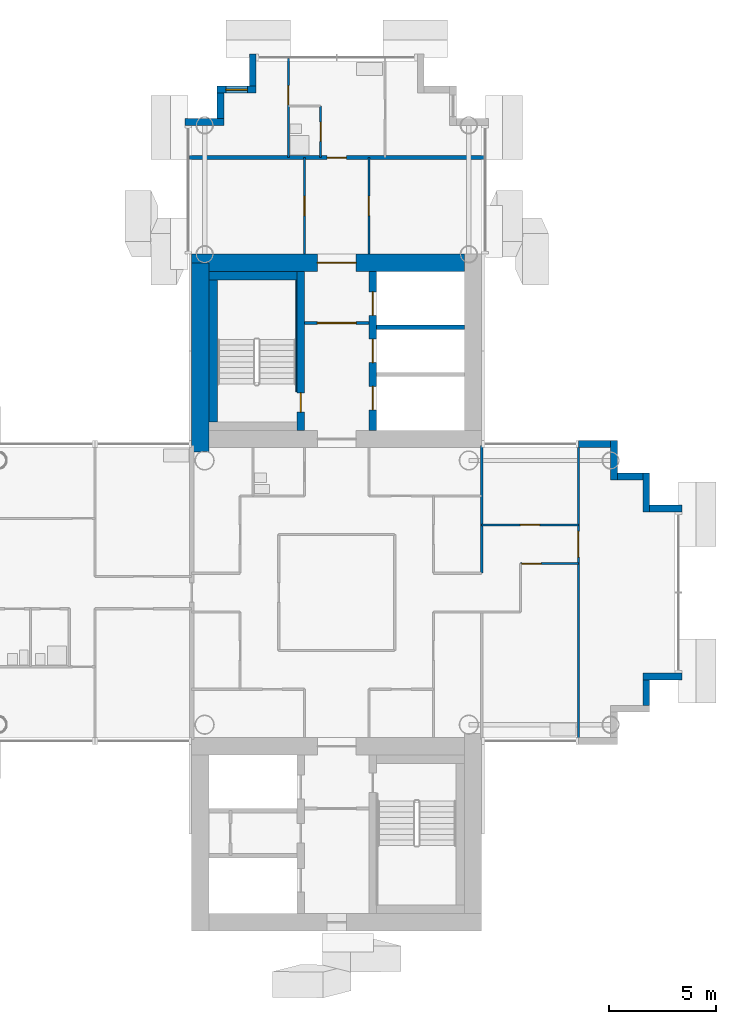
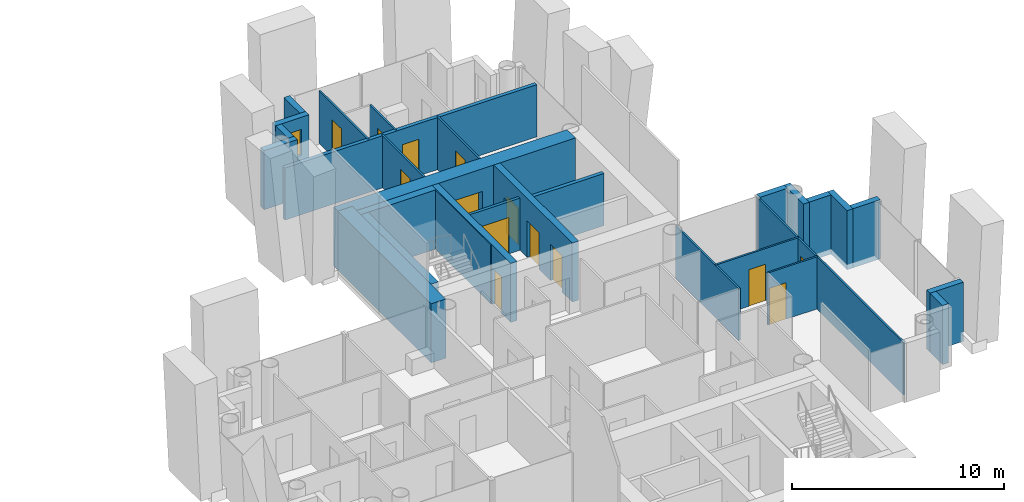
# One storey, part 11 of 19: 29 walls, 14 doors, 1 window, 15 openings.
"""IFC4 building model written with IfcOpenShell, lengths in metres."""

import ifcopenshell
import ifcopenshell.guid

model = None  # the IFC model being written
_history = None  # IfcOwnerHistory: only IFC2X3 demands one
_inside = {}  # id of a spatial element -> (the spatial element, [elements in it])
_under = {}  # id of a project, library or spatial element -> (it, [spatial elements below it])
_declared = {}  # id of a project -> (the project, [libraries it declares])
_typed = {}  # id of a type object -> (the type object, [elements of that type])
_made_of = {}  # id of a material, layer set ... -> (it, [elements and type objects made of it])


def new_model(schema):
    """Start an empty IFC model of exactly this schema.

    Asked for "IFC4X3", IfcOpenShell would pick the latest addendum, in which some entities
    have other attributes; the version numbers below select the first issue.
    IFC2X3 requires an IfcOwnerHistory on every rooted entity: one is made here for all.
    """
    global model, _history
    if schema == "IFC4X3":
        model = ifcopenshell.file(schema_version=(4, 3, 0, 0))
    else:
        model = ifcopenshell.file(schema=schema)
    _inside.clear()
    _under.clear()
    _declared.clear()
    _typed.clear()
    _made_of.clear()
    _history = None
    if model.schema == "IFC2X3":
        org = make("IfcOrganization", Name="unknown")
        user = make(
            "IfcPersonAndOrganization",
            ThePerson=make("IfcPerson", FamilyName="unknown"),
            TheOrganization=org,
        )
        app = make(
            "IfcApplication",
            ApplicationDeveloper=org,
            Version="unknown",
            ApplicationFullName="unknown",
            ApplicationIdentifier="unknown",
        )
        _history = make(
            "IfcOwnerHistory",
            OwningUser=user,
            OwningApplication=app,
            ChangeAction="ADDED",
            CreationDate=0,
        )
    return model


def make(cls, **values):
    """One entity of the class cls with the attributes given. An attribute that is None is left unset."""
    return model.create_entity(
        cls, **{name: value for name, value in values.items() if value is not None}
    )


def rooted(cls, **values):
    """An entity with a GlobalId (a new one), such as an element, a storey or a relation."""
    return make(cls, GlobalId=ifcopenshell.guid.new(), OwnerHistory=_history, **values)


def si_unit(unit_type, name, prefix=None):
    """IfcSIUnit, for example si_unit("LENGTHUNIT", "METRE", prefix="MILLI")."""
    return make("IfcSIUnit", UnitType=unit_type, Prefix=prefix, Name=name)


def assignment(units):
    """IfcUnitAssignment: the units of a project."""
    return None if units is None else make("IfcUnitAssignment", Units=units)


def point(xyz):
    """IfcCartesianPoint."""
    return None if xyz is None else make("IfcCartesianPoint", Coordinates=xyz)


def direction(xyz):
    """IfcDirection."""
    return None if xyz is None else make("IfcDirection", DirectionRatios=xyz)


def frame(location, z_axis=None, x_axis=None):
    """IfcAxis2Placement3D, a coordinate frame: its origin and axes. An axis left out is left unset."""
    return make(
        "IfcAxis2Placement3D",
        Location=point(location),
        Axis=direction(z_axis),
        RefDirection=direction(x_axis),
    )


def frame_2d(location, x_axis=None):
    """IfcAxis2Placement2D, a coordinate frame in the plane: its origin and x axis."""
    return make(
        "IfcAxis2Placement2D", Location=point(location), RefDirection=direction(x_axis)
    )


def origin():
    """The frame at (0, 0, 0) with its axes left unset."""
    return frame((0.0, 0.0, 0.0))


def place(relative_to, where):
    """IfcLocalPlacement: puts the frame where relative to a parent placement (None: the world)."""
    return make(
        "IfcLocalPlacement", PlacementRelTo=relative_to, RelativePlacement=where
    )


def context(
    kind, dimensions, precision=None, world=None, true_north=None, identifier=None
):
    """IfcGeometricRepresentationContext, for example the 3D "Model" context."""
    return make(
        "IfcGeometricRepresentationContext",
        ContextIdentifier=identifier,
        ContextType=kind,
        CoordinateSpaceDimension=dimensions,
        Precision=precision,
        WorldCoordinateSystem=world,
        TrueNorth=true_north,
    )


def subcontext(parent, identifier, kind, view, scale=None):
    """IfcGeometricRepresentationSubContext, for example "Body" below "Model"."""
    return make(
        "IfcGeometricRepresentationSubContext",
        ContextIdentifier=identifier,
        ContextType=kind,
        ParentContext=parent,
        TargetScale=scale,
        TargetView=view,
    )


def project(units=None, contexts=None):
    """IfcProject with its units and contexts."""
    return rooted(
        "IfcProject",
        Name="project",
        RepresentationContexts=contexts,
        UnitsInContext=assignment(units),
    )


def spatial(cls, under=None, at=None, **own):
    """A site, building, storey or space (cls), placed at a placement, below another one or the project."""
    s = rooted(cls, ObjectPlacement=at, **own)
    if under is not None:
        _under.setdefault(under.id(), (under, []))[1].append(s)
    return s


def profile(cls, at=None, kind="AREA", **sizes):
    """A parametric profile (cls). Its sizes go by their IFC names, for example OverallWidth=200.0."""
    return make(cls, ProfileType=kind, Position=at, **sizes)


def rectangle(**sizes):
    """IfcRectangleProfileDef."""
    return profile("IfcRectangleProfileDef", **sizes)


def extrude(swept, where, along, depth):
    """IfcExtrudedAreaSolid: the profile swept, set in the frame where, extruded along a direction by depth."""
    return make(
        "IfcExtrudedAreaSolid",
        SweptArea=swept,
        Position=where,
        ExtrudedDirection=direction(along),
        Depth=depth,
    )


def shape(context_of_items, identifier, shape_type, items):
    """IfcShapeRepresentation: the items that make up one representation, for example the "Body"."""
    return make(
        "IfcShapeRepresentation",
        ContextOfItems=context_of_items,
        RepresentationIdentifier=identifier,
        RepresentationType=shape_type,
        Items=items,
    )


def material(Name=None, Category=None):
    """IfcMaterial."""
    return make("IfcMaterial", Name=Name, Category=Category)


def layer(
    of_material, thickness, ventilated=None, Name=None, Category=None, Priority=None
):
    """IfcMaterialLayer: one layer of a wall or slab, of a material (None: an air gap)."""
    return make(
        "IfcMaterialLayer",
        Material=of_material,
        LayerThickness=thickness,
        IsVentilated=ventilated,
        Name=Name,
        Category=Category,
        Priority=Priority,
    )


def layer_set(layers, Name=None):
    """IfcMaterialLayerSet."""
    return make("IfcMaterialLayerSet", MaterialLayers=layers, LayerSetName=Name)


def made_of(thing, what):
    """Note that an element or type object is made of a material, layer set ...; save() writes the relation."""
    if what is not None:
        _made_of.setdefault(what.id(), (what, []))[1].append(thing)
    return thing


def type_object(cls, material=None, **own):
    """A type object (cls), such as IfcWallType, which elements share."""
    return made_of(rooted(cls, **own), material)


def element(
    cls,
    number,
    at=None,
    inside=None,
    cuts=None,
    type_object=None,
    material=None,
    context=None,
    identifier="Body",
    shape_type=None,
    held_by="IfcProductDefinitionShape",
    body=None,
    shapes=None,
    **own,
):
    """One element of the class cls, such as IfcWall. Its Tag is "e" and its number.

    at: its placement. inside: the storey or other place that contains it. cuts: it is an
    opening in that element (IfcRelVoidsElement). A single representation is given by context,
    identifier, shape_type and body (its items); several are given by shapes. held_by: the class
    of the entity that holds the representations. save() writes the other relations.
    """
    e = rooted(cls, Tag="e%d" % number, ObjectPlacement=at, **own)
    if body is not None:
        shapes = [shape(context, identifier, shape_type, body)]
    if shapes is not None:
        e.Representation = make(held_by, Representations=shapes)
    if inside is not None:
        _inside.setdefault(inside.id(), (inside, []))[1].append(e)
    if cuts is not None:
        rooted(
            "IfcRelVoidsElement", RelatingBuildingElement=cuts, RelatedOpeningElement=e
        )
    if type_object is not None:
        _typed.setdefault(type_object.id(), (type_object, []))[1].append(e)
    return made_of(e, material)


def fill(opening, filler):
    """IfcRelFillsElement: the door or window that sits in an opening."""
    return rooted(
        "IfcRelFillsElement",
        RelatingOpeningElement=opening,
        RelatedBuildingElement=filler,
    )


def aggregate(whole, parts):
    """IfcRelAggregates: a whole, such as a stair, and the parts it consists of."""
    return rooted("IfcRelAggregates", RelatingObject=whole, RelatedObjects=parts)


def save(model, path):
    """Write the relations noted so far, then the file.

    IfcRelAggregates (storeys below a building ...), IfcRelContainedInSpatialStructure (elements
    in a storey), IfcRelDefinesByType, IfcRelAssociatesMaterial and IfcRelDeclares: one each for
    every whole, place, type object, material and project.
    """
    for whole, parts in _under.values():
        aggregate(whole, parts)
    for where, things in _inside.values():
        rooted(
            "IfcRelContainedInSpatialStructure",
            RelatedElements=things,
            RelatingStructure=where,
        )
    for kind, things in _typed.values():
        rooted("IfcRelDefinesByType", RelatedObjects=things, RelatingType=kind)
    for what, things in _made_of.values():
        rooted("IfcRelAssociatesMaterial", RelatedObjects=things, RelatingMaterial=what)
    for by, libraries in _declared.values():
        rooted("IfcRelDeclares", RelatingContext=by, RelatedDefinitions=libraries)
    model.write(path)


model = new_model("IFC4")

# Units and contexts
model_context = context("Model", 3, precision=1e-05, world=origin(), true_north=direction((0.0, 1.0)))
body_context = subcontext(model_context, "Body", "Model", "MODEL_VIEW")
ifc_project = project(units=[si_unit("LENGTHUNIT", "METRE"), si_unit("AREAUNIT", "SQUARE_METRE"), si_unit("VOLUMEUNIT", "CUBIC_METRE"), si_unit("PLANEANGLEUNIT", "RADIAN"), si_unit("MASSUNIT", "GRAM", prefix="KILO")], contexts=[model_context])

# Site, building, storey
site_placement = place(None, origin())
site = spatial("IfcSite", under=ifc_project, at=site_placement, CompositionType="ELEMENT")
building_placement = place(site_placement, origin())
building = spatial("IfcBuilding", under=site, at=building_placement, Name="Ipe Terrace Towers", CompositionType="ELEMENT")
storey_placement = place(building_placement, frame((0.0, 0.0, 157.5)))
storey = spatial("IfcBuildingStorey", under=building, at=storey_placement, Name="L43", CompositionType="ELEMENT", Elevation=157.5)

# Walls
ifc_material_1 = material(Name="Concrete C40/50 with buff precast cladding", Category="concrete")
ifc_layer_1 = layer(ifc_material_1, 0.320068359375)
ifc_layer_set_1 = layer_set([ifc_layer_1], Name="BUFF CLADDING WALL 320")
wall_type_1 = type_object("IfcWallType", Name="BUFF CLADDING WALL 320", PredefinedType="STANDARD", material=ifc_layer_set_1)
wall_1_placement = place(storey_placement, frame((50.409912109375, -5.25, -0.300048828125), z_axis=(0.0, 0.0, 1.0), x_axis=(0.0, 1.0, 0.0)))
element("IfcWall", 1, at=wall_1_placement, inside=storey, type_object=wall_type_1, Name="T2-W-L43-06a wall", PredefinedType="STANDARD", context=body_context, shape_type="SweptSolid", body=[
    extrude(rectangle(XDim=1.179931640625, YDim=0.320068359375, at=frame_2d((0.58984375, 0.0))), origin(), (0.0, 0.0, 1.0), 3.400146484375),
])
wall_2_placement = place(storey_placement, frame((50.25, -3.909912109375, -0.300048828125), z_axis=(0.0, 0.0, 1.0), x_axis=(1.0, 0.0, 0.0)))
element("IfcWall", 2, at=wall_2_placement, inside=storey, type_object=wall_type_1, Name="T2-W-L43-07a wall", PredefinedType="STANDARD", context=body_context, shape_type="SweptSolid", body=[
    extrude(rectangle(XDim=1.820068359375, YDim=0.320068359375, at=frame_2d((0.91015625, 0.0))), origin(), (0.0, 0.0, 1.0), 3.400146484375),
])
wall_3_placement = place(storey_placement, frame((52.070068359375, 3.909912109375, -0.300048828125), z_axis=(0.0, 0.0, 1.0), x_axis=(-1.0, 0.0, 0.0)))
element("IfcWall", 3, at=wall_3_placement, inside=storey, type_object=wall_type_1, Name="T2-W-L43-09a wall", PredefinedType="STANDARD", context=body_context, shape_type="SweptSolid", body=[
    extrude(rectangle(XDim=1.5, YDim=0.320068359375, at=frame_2d((0.75, 0.0))), origin(), (0.0, 0.0, 1.0), 3.400146484375),
])
wall_4_placement = place(storey_placement, frame((50.409912109375, 3.75, -0.300048828125), z_axis=(0.0, 0.0, 1.0), x_axis=(0.0, 1.0, 0.0)))
element("IfcWall", 4, at=wall_4_placement, inside=storey, type_object=wall_type_1, Name="T2-W-L43-10a wall", PredefinedType="STANDARD", context=body_context, shape_type="SweptSolid", body=[
    extrude(rectangle(XDim=1.820068359375, YDim=0.320068359375, at=frame_2d((0.91015625, 0.0))), origin(), (0.0, 0.0, 1.0), 3.400146484375),
])
wall_5_placement = place(storey_placement, frame((50.25, 5.409912109375, -0.300048828125), z_axis=(0.0, 0.0, 1.0), x_axis=(-1.0, 0.0, 0.0)))
element("IfcWall", 5, at=wall_5_placement, inside=storey, type_object=wall_type_1, Name="T2-W-L43-11a wall", PredefinedType="STANDARD", context=body_context, shape_type="SweptSolid", body=[
    extrude(rectangle(XDim=1.179931640625, YDim=0.320068359375, at=frame_2d((0.58984375, 0.0))), origin(), (0.0, 0.0, 1.0), 3.400146484375),
])
wall_6_placement = place(storey_placement, frame((48.909912109375, 5.25, -0.300048828125), z_axis=(0.0, 0.0, 1.0), x_axis=(0.0, 1.0, 0.0)))
element("IfcWall", 6, at=wall_6_placement, inside=storey, type_object=wall_type_1, Name="T2-W-L43-12a wall", PredefinedType="STANDARD", context=body_context, shape_type="SweptSolid", body=[
    extrude(rectangle(XDim=1.820068359375, YDim=0.320068359375, at=frame_2d((0.91015625, 0.0))), origin(), (0.0, 0.0, 1.0), 3.400146484375),
])
for number, where, z_axis, x_axis, name in (
    (7, (48.75, 6.909912109375, -0.300048828125), (0.0, 0.0, 1.0), (-1.0, 0.0, 0.0), "T2-W-L43-13a wall"),
    (8, (32.090087890625, 25.070068359375, -0.300048828125), (0.0, 0.0, 1.0), (0.0, -1.0, 0.0), "T2-W-L43-22a wall"),
):
    element("IfcWall", number, at=place(storey_placement, frame(where, z_axis=z_axis, x_axis=x_axis)), inside=storey, type_object=wall_type_1, Name=name, PredefinedType="STANDARD", context=body_context, shape_type="SweptSolid", body=[
        extrude(rectangle(XDim=1.5, YDim=0.320068359375, at=frame_2d((0.75, 0.0))), origin(), (0.0, 0.0, 1.0), 3.400146484375),
    ])

# Wall, opening, window
wall_7_placement = place(storey_placement, frame((32.25, 23.409912109375, -0.300048828125), z_axis=(0.0, 0.0, 1.0), x_axis=(-1.0, 0.0, 0.0)))
wall_7 = element("IfcWall", 9, at=wall_7_placement, inside=storey, type_object=wall_type_1, Name="T2-W-L43-23a wall", PredefinedType="STANDARD", context=body_context, shape_type="SweptSolid", body=[
    extrude(rectangle(XDim=1.820068359375, YDim=0.320068359375, at=frame_2d((0.91015625, 0.0))), origin(), (0.0, 0.0, 1.0), 3.400146484375),
])
opening_1_placement = place(wall_7_placement, frame((0.409912109375, 0.0, 1.199951171875)))
opening_1 = element("IfcOpeningElement", 10, at=opening_1_placement, cuts=wall_7, Name="Opening T2-W-05-L43-03", PredefinedType="OPENING", context=body_context, shape_type="SweptSolid", body=[
    extrude(rectangle(XDim=1.0, YDim=1.5, at=frame_2d((0.5, 0.75))), frame((0.0, 0.169921875, 0.0), z_axis=(0.0, -1.0, 0.0), x_axis=(1.0, 0.0, 0.0)), (0.0, 0.0, 1.0), 0.340087890625),
])
ifc_material_2 = material(Name="Glass, clear laminated", Category="glass")
window_type = type_object("IfcWindowType", Name="DWELLING WINDOW 1000 x 1500", PartitioningType="SINGLE_PANEL", PredefinedType="WINDOW", material=ifc_material_2)
window_placement = place(opening_1_placement, origin())
window = element("IfcWindow", 11, at=window_placement, inside=storey, type_object=window_type, Name="W-05 window", OverallHeight=1.5, OverallWidth=1.0, PartitioningType="SINGLE_PANEL", PredefinedType="WINDOW", context=body_context, shape_type="SweptSolid", body=[
    extrude(rectangle(XDim=1.0, YDim=1.5, at=frame_2d((0.5, 0.75))), frame((0.0, 0.030029296875, 0.0), z_axis=(0.0, -1.0, 0.0), x_axis=(1.0, 0.0, 0.0)), (0.0, 0.0, 1.0), 0.06005859375),
])
fill(opening_1, window)

# Walls
wall_8_placement = place(storey_placement, frame((30.590087890625, 23.25, -0.300048828125), z_axis=(0.0, 0.0, 1.0), x_axis=(0.0, -1.0, 0.0)))
element("IfcWall", 12, at=wall_8_placement, inside=storey, type_object=wall_type_1, Name="T2-W-L43-24a wall", PredefinedType="STANDARD", context=body_context, shape_type="SweptSolid", body=[
    extrude(rectangle(XDim=1.179931640625, YDim=0.320068359375, at=frame_2d((0.58984375, 0.0))), origin(), (0.0, 0.0, 1.0), 3.400146484375),
])
wall_9_placement = place(storey_placement, frame((30.75, 21.909912109375, -0.300048828125), z_axis=(0.0, 0.0, 1.0), x_axis=(-1.0, 0.0, 0.0)))
element("IfcWall", 13, at=wall_9_placement, inside=storey, type_object=wall_type_1, Name="T2-W-L43-25a wall", PredefinedType="STANDARD", context=body_context, shape_type="SweptSolid", body=[
    extrude(rectangle(XDim=1.820068359375, YDim=0.320068359375, at=frame_2d((0.91015625, 0.0))), origin(), (0.0, 0.0, 1.0), 3.400146484375),
])

# Wall, opening, door
ifc_material_3 = material(Name="Gypsum board partition", Category="plasterboard")
ifc_layer_2 = layer(ifc_material_3, 0.10009765625)
ifc_layer_set_2 = layer_set([ifc_layer_2], Name="Gypsum board partition 100 mm")
wall_type_2 = type_object("IfcWallType", Name="Gypsum board partition 100 mm", PredefinedType="PARTITIONING", material=ifc_layer_set_2)
wall_10_placement = place(storey_placement, frame((47.25, 1.35009765625, 0.0), z_axis=(0.0, 0.0, 1.0), x_axis=(-1.0, 0.0, 0.0)))
wall_10 = element("IfcWall", 14, at=wall_10_placement, inside=storey, type_object=wall_type_2, Name="Gypsum board partition T2 L43 W13", PredefinedType="PARTITIONING", context=body_context, shape_type="SweptSolid", body=[
    extrude(rectangle(XDim=2.699951171875, YDim=0.10009765625, at=frame_2d((1.35009765625, 0.0))), origin(), (0.0, 0.0, 1.0), 3.0),
])
opening_2_placement = place(wall_10_placement, frame((1.72998046875, 0.0, 0.0)))
opening_2 = element("IfcOpeningElement", 15, at=opening_2_placement, cuts=wall_10, Name="Opening T2-Z3C-21", PredefinedType="OPENING", context=body_context, shape_type="SweptSolid", body=[
    extrude(rectangle(XDim=0.89990234375, YDim=2.10009765625, at=frame_2d((0.449951171875, 1.050048828125))), frame((0.0, 0.06005859375, 0.0), z_axis=(0.0, -1.0, 0.0), x_axis=(1.0, 0.0, 0.0)), (0.0, 0.0, 1.0), 0.1201171875),
])
ifc_material_4 = material(Name="Timber door leaf", Category="wood")
door_type_1 = type_object("IfcDoorType", Name="Lounge door 900 x 2100", OperationType="NOTDEFINED", PredefinedType="DOOR", material=ifc_material_4)
door_1_placement = place(opening_2_placement, origin())
door_1 = element("IfcDoor", 16, at=door_1_placement, inside=storey, type_object=door_type_1, Name="Lounge door T2-Z3C-21", OperationType="SINGLE_SWING_LEFT", OverallHeight=2.10009765625, OverallWidth=0.89990234375, PredefinedType="DOOR", context=body_context, shape_type="SweptSolid", body=[
    extrude(rectangle(XDim=0.89990234375, YDim=2.10009765625, at=frame_2d((0.449951171875, 1.050048828125))), frame((0.0, 0.02490234375, 0.0), z_axis=(0.0, -1.0, 0.0), x_axis=(1.0, 0.0, 0.0)), (0.0, 0.0, 1.0), 0.050048828125),
])
fill(opening_2, door_1)

wall_11_placement = place(storey_placement, frame((47.25, 3.14990234375, 0.0), z_axis=(0.0, 0.0, 1.0), x_axis=(-1.0, 0.0, 0.0)))
wall_11 = element("IfcWall", 17, at=wall_11_placement, inside=storey, type_object=wall_type_2, Name="Gypsum board partition T2 L43 W16", PredefinedType="PARTITIONING", context=body_context, shape_type="SweptSolid", body=[
    extrude(rectangle(XDim=4.5, YDim=0.10009765625, at=frame_2d((2.25, 0.0))), origin(), (0.0, 0.0, 1.0), 3.0),
])
opening_3_placement = place(wall_11_placement, frame((1.800048828125, 0.0, 0.0)))
opening_3 = element("IfcOpeningElement", 18, at=opening_3_placement, cuts=wall_11, Name="Opening T2-Z3C-20", PredefinedType="OPENING", context=body_context, shape_type="SweptSolid", body=[
    extrude(rectangle(XDim=0.89990234375, YDim=2.10009765625, at=frame_2d((0.449951171875, 1.050048828125))), frame((0.0, 0.06005859375, 0.0), z_axis=(0.0, -1.0, 0.0), x_axis=(1.0, 0.0, 0.0)), (0.0, 0.0, 1.0), 0.1201171875),
])
door_2_placement = place(opening_3_placement, origin())
door_2 = element("IfcDoor", 19, at=door_2_placement, inside=storey, type_object=door_type_1, Name="Lounge door T2-Z3C-20", OperationType="SINGLE_SWING_RIGHT", OverallHeight=2.10009765625, OverallWidth=0.89990234375, PredefinedType="DOOR", context=body_context, shape_type="SweptSolid", body=[
    extrude(rectangle(XDim=0.89990234375, YDim=2.10009765625, at=frame_2d((0.449951171875, 1.050048828125))), frame((0.0, 0.02490234375, 0.0), z_axis=(0.0, -1.0, 0.0), x_axis=(1.0, 0.0, 0.0)), (0.0, 0.0, 1.0), 0.050048828125),
])
fill(opening_3, door_2)

wall_12_placement = place(storey_placement, frame((47.25, -6.85009765625, 0.0), z_axis=(0.0, 0.0, 1.0), x_axis=(0.0, 1.0, 0.0)))
wall_12 = element("IfcWall", 20, at=wall_12_placement, inside=storey, type_object=wall_type_2, Name="Gypsum board partition T2 L43 W22", PredefinedType="PARTITIONING", context=body_context, shape_type="SweptSolid", body=[
    extrude(rectangle(XDim=13.7001953125, YDim=0.10009765625, at=frame_2d((6.85009765625, 0.0))), origin(), (0.0, 0.0, 1.0), 3.0),
])
opening_4_placement = place(wall_12_placement, frame((8.5, 0.0, 0.0)))
opening_4 = element("IfcOpeningElement", 21, at=opening_4_placement, cuts=wall_12, Name="Opening T2-Z3C-22", PredefinedType="OPENING", context=body_context, shape_type="SweptSolid", body=[
    extrude(rectangle(XDim=1.199951171875, YDim=2.10009765625, at=frame_2d((0.60009765625, 1.050048828125))), frame((0.0, 0.06005859375, 0.0), z_axis=(0.0, -1.0, 0.0), x_axis=(1.0, 0.0, 0.0)), (0.0, 0.0, 1.0), 0.1201171875),
])
ifc_material_5 = material(Name="Timber door leaf", Category="wood")
door_type_2 = type_object("IfcDoorType", Name="Lounge door 1200 x 2100", OperationType="NOTDEFINED", PredefinedType="DOOR", material=ifc_material_5)
door_3_placement = place(opening_4_placement, origin())
door_3 = element("IfcDoor", 22, at=door_3_placement, inside=storey, type_object=door_type_2, Name="Lounge door T2-Z3C-22", OperationType="SINGLE_SWING_RIGHT", OverallHeight=2.10009765625, OverallWidth=1.199951171875, PredefinedType="DOOR", context=body_context, shape_type="SweptSolid", body=[
    extrude(rectangle(XDim=1.199951171875, YDim=2.10009765625, at=frame_2d((0.60009765625, 1.050048828125))), frame((0.0, 0.02490234375, 0.0), z_axis=(0.0, -1.0, 0.0), x_axis=(1.0, 0.0, 0.0)), (0.0, 0.0, 1.0), 0.050048828125),
])
fill(opening_4, door_3)

# Wall
wall_13_placement = place(storey_placement, frame((42.75, 0.89990234375, 0.0), z_axis=(0.0, 0.0, 1.0), x_axis=(0.0, 1.0, 0.0)))
element("IfcWall", 23, at=wall_13_placement, inside=storey, type_object=wall_type_2, Name="Gypsum board partition T2 L43 W25", PredefinedType="PARTITIONING", context=body_context, shape_type="SweptSolid", body=[
    extrude(rectangle(XDim=5.9501953125, YDim=0.10009765625, at=frame_2d((2.97509765625, 0.0))), origin(), (0.0, 0.0, 1.0), 3.0),
])

# Wall, opening, door
wall_14_placement = place(storey_placement, frame((37.5, 15.75, 0.0), z_axis=(0.0, 0.0, 1.0), x_axis=(0.0, 1.0, 0.0)))
wall_14 = element("IfcWall", 24, at=wall_14_placement, inside=storey, type_object=wall_type_2, Name="Gypsum board partition T2 L43 W32", PredefinedType="PARTITIONING", context=body_context, shape_type="SweptSolid", body=[
    extrude(rectangle(XDim=4.5, YDim=0.10009765625, at=frame_2d((2.25, 0.0))), origin(), (0.0, 0.0, 1.0), 3.0),
])
opening_5_placement = place(wall_14_placement, frame((1.800048828125, 0.0, 0.0)))
opening_5 = element("IfcOpeningElement", 25, at=opening_5_placement, cuts=wall_14, Name="Opening T2-Z3C-24", PredefinedType="OPENING", context=body_context, shape_type="SweptSolid", body=[
    extrude(rectangle(XDim=0.89990234375, YDim=2.10009765625, at=frame_2d((0.449951171875, 1.050048828125))), frame((0.0, 0.06005859375, 0.0), z_axis=(0.0, -1.0, 0.0), x_axis=(1.0, 0.0, 0.0)), (0.0, 0.0, 1.0), 0.1201171875),
])
door_4_placement = place(opening_5_placement, origin())
door_4 = element("IfcDoor", 26, at=door_4_placement, inside=storey, type_object=door_type_1, Name="Lounge door T2-Z3C-24", OperationType="SINGLE_SWING_RIGHT", OverallHeight=2.10009765625, OverallWidth=0.89990234375, PredefinedType="DOOR", context=body_context, shape_type="SweptSolid", body=[
    extrude(rectangle(XDim=0.89990234375, YDim=2.10009765625, at=frame_2d((0.449951171875, 1.050048828125))), frame((0.0, 0.02490234375, 0.0), z_axis=(0.0, -1.0, 0.0), x_axis=(1.0, 0.0, 0.0)), (0.0, 0.0, 1.0), 0.050048828125),
])
fill(opening_5, door_4)

wall_15_placement = place(storey_placement, frame((35.25, 20.25, 0.0), z_axis=(0.0, 0.0, 1.0), x_axis=(0.0, 1.0, 0.0)))
wall_15 = element("IfcWall", 27, at=wall_15_placement, inside=storey, type_object=wall_type_2, Name="Gypsum board partition T2 L43 W33", PredefinedType="PARTITIONING", context=body_context, shape_type="SweptSolid", body=[
    extrude(rectangle(XDim=2.39990234375, YDim=0.10009765625, at=frame_2d((1.199951171875, 0.0))), origin(), (0.0, 0.0, 1.0), 3.0),
])
opening_6_placement = place(wall_15_placement, frame((0.75, 0.0, 0.0)))
opening_6 = element("IfcOpeningElement", 28, at=opening_6_placement, cuts=wall_15, Name="Opening T2-Z3C-25", PredefinedType="OPENING", context=body_context, shape_type="SweptSolid", body=[
    extrude(rectangle(XDim=0.89990234375, YDim=2.10009765625, at=frame_2d((0.449951171875, 1.050048828125))), frame((0.0, 0.06005859375, 0.0), z_axis=(0.0, -1.0, 0.0), x_axis=(1.0, 0.0, 0.0)), (0.0, 0.0, 1.0), 0.1201171875),
])
ifc_material_6 = material(Name="Timber door leaf", Category="wood")
door_type_3 = type_object("IfcDoorType", Name="Bathroom door 900 x 2100", OperationType="NOTDEFINED", PredefinedType="DOOR", material=ifc_material_6)
door_5_placement = place(opening_6_placement, origin())
door_5 = element("IfcDoor", 29, at=door_5_placement, inside=storey, type_object=door_type_3, Name="Bathroom door T2-Z3C-25", OperationType="SINGLE_SWING_LEFT", OverallHeight=2.10009765625, OverallWidth=0.89990234375, PredefinedType="DOOR", context=body_context, shape_type="SweptSolid", body=[
    extrude(rectangle(XDim=0.89990234375, YDim=2.10009765625, at=frame_2d((0.449951171875, 1.050048828125))), frame((0.0, 0.02490234375, 0.0), z_axis=(0.0, -1.0, 0.0), x_axis=(1.0, 0.0, 0.0)), (0.0, 0.0, 1.0), 0.050048828125),
])
fill(opening_6, door_5)

wall_16_placement = place(storey_placement, frame((34.5, 15.75, 0.0), z_axis=(0.0, 0.0, 1.0), x_axis=(0.0, 1.0, 0.0)))
wall_16 = element("IfcWall", 30, at=wall_16_placement, inside=storey, type_object=wall_type_2, Name="Gypsum board partition T2 L43 W36", PredefinedType="PARTITIONING", context=body_context, shape_type="SweptSolid", body=[
    extrude(rectangle(XDim=4.5, YDim=0.10009765625, at=frame_2d((2.25, 0.0))), origin(), (0.0, 0.0, 1.0), 3.0),
])
opening_7_placement = place(wall_16_placement, frame((1.800048828125, 0.0, 0.0)))
opening_7 = element("IfcOpeningElement", 31, at=opening_7_placement, cuts=wall_16, Name="Opening T2-Z3C-23", PredefinedType="OPENING", context=body_context, shape_type="SweptSolid", body=[
    extrude(rectangle(XDim=0.89990234375, YDim=2.10009765625, at=frame_2d((0.449951171875, 1.050048828125))), frame((0.0, 0.06005859375, 0.0), z_axis=(0.0, -1.0, 0.0), x_axis=(1.0, 0.0, 0.0)), (0.0, 0.0, 1.0), 0.1201171875),
])
door_6_placement = place(opening_7_placement, origin())
door_6 = element("IfcDoor", 32, at=door_6_placement, inside=storey, type_object=door_type_1, Name="Lounge door T2-Z3C-23", OperationType="SINGLE_SWING_LEFT", OverallHeight=2.10009765625, OverallWidth=0.89990234375, PredefinedType="DOOR", context=body_context, shape_type="SweptSolid", body=[
    extrude(rectangle(XDim=0.89990234375, YDim=2.10009765625, at=frame_2d((0.449951171875, 1.050048828125))), frame((0.0, 0.02490234375, 0.0), z_axis=(0.0, -1.0, 0.0), x_axis=(1.0, 0.0, 0.0)), (0.0, 0.0, 1.0), 0.050048828125),
])
fill(opening_7, door_6)

wall_17_placement = place(storey_placement, frame((33.75, 20.25, 0.0), z_axis=(0.0, 0.0, 1.0), x_axis=(0.0, 1.0, 0.0)))
wall_17 = element("IfcWall", 33, at=wall_17_placement, inside=storey, type_object=wall_type_2, Name="Gypsum board partition T2 L43 W37", PredefinedType="PARTITIONING", context=body_context, shape_type="SweptSolid", body=[
    extrude(rectangle(XDim=4.60009765625, YDim=0.10009765625, at=frame_2d((2.300048828125, 0.0))), origin(), (0.0, 0.0, 1.0), 3.0),
])
opening_8_placement = place(wall_17_placement, frame((2.449951171875, 0.0, 0.0)))
opening_8 = element("IfcOpeningElement", 34, at=opening_8_placement, cuts=wall_17, Name="Opening T2-Z3C-27", PredefinedType="OPENING", context=body_context, shape_type="SweptSolid", body=[
    extrude(rectangle(XDim=0.89990234375, YDim=2.10009765625, at=frame_2d((0.449951171875, 1.050048828125))), frame((0.0, 0.06005859375, 0.0), z_axis=(0.0, -1.0, 0.0), x_axis=(1.0, 0.0, 0.0)), (0.0, 0.0, 1.0), 0.1201171875),
])
ifc_material_7 = material(Name="Timber door leaf", Category="wood")
door_type_4 = type_object("IfcDoorType", Name="Bedroom door 900 x 2100", OperationType="NOTDEFINED", PredefinedType="DOOR", material=ifc_material_7)
door_7_placement = place(opening_8_placement, origin())
door_7 = element("IfcDoor", 35, at=door_7_placement, inside=storey, type_object=door_type_4, Name="Bedroom door T2-Z3C-27", OperationType="SINGLE_SWING_LEFT", OverallHeight=2.10009765625, OverallWidth=0.89990234375, PredefinedType="DOOR", context=body_context, shape_type="SweptSolid", body=[
    extrude(rectangle(XDim=0.89990234375, YDim=2.10009765625, at=frame_2d((0.449951171875, 1.050048828125))), frame((0.0, 0.02490234375, 0.0), z_axis=(0.0, -1.0, 0.0), x_axis=(1.0, 0.0, 0.0)), (0.0, 0.0, 1.0), 0.050048828125),
])
fill(opening_8, door_7)

ifc_material_8 = material(Name="Gypsum board partition", Category="plasterboard")
ifc_layer_3 = layer(ifc_material_8, 0.14990234375)
ifc_layer_set_3 = layer_set([ifc_layer_3], Name="Gypsum board partition 150 mm")
wall_type_3 = type_object("IfcWallType", Name="Gypsum board partition 150 mm", PredefinedType="PARTITIONING", material=ifc_layer_set_3)
wall_18_placement = place(storey_placement, frame((37.5, 12.550048828125, 0.0), z_axis=(0.0, 0.0, 1.0), x_axis=(-1.0, 0.0, 0.0)))
wall_18 = element("IfcWall", 36, at=wall_18_placement, inside=storey, type_object=wall_type_3, Name="Gypsum board partition T2 L43 t2c1-lobby-wall", PredefinedType="PARTITIONING", context=body_context, shape_type="SweptSolid", body=[
    extrude(rectangle(XDim=3.0, YDim=0.14990234375, at=frame_2d((1.5, 0.0))), origin(), (0.0, 0.0, 1.0), 3.0),
])
opening_9_placement = place(wall_18_placement, frame((0.60009765625, 0.0, 0.0)))
opening_9 = element("IfcOpeningElement", 37, at=opening_9_placement, cuts=wall_18, Name="Opening T2C1-VD", PredefinedType="OPENING", context=body_context, shape_type="SweptSolid", body=[
    extrude(rectangle(XDim=1.800048828125, YDim=2.10009765625, at=frame_2d((0.89990234375, 1.050048828125))), frame((0.0, 0.0849609375, 0.0), z_axis=(0.0, -1.0, 0.0), x_axis=(1.0, 0.0, 0.0)), (0.0, 0.0, 1.0), 0.169921875),
])
ifc_material_9 = material(Name="Fire-rated timber door leaf", Category="wood")
door_type_5 = type_object("IfcDoorType", Name="Lobby door 1800 x 2100 FD60", OperationType="NOTDEFINED", PredefinedType="DOOR", material=ifc_material_9)
door_8_placement = place(opening_9_placement, origin())
door_8 = element("IfcDoor", 38, at=door_8_placement, inside=storey, type_object=door_type_5, Name="Lobby door T2C1-VD", OperationType="SINGLE_SWING_LEFT", OverallHeight=2.10009765625, OverallWidth=1.800048828125, PredefinedType="DOOR", context=body_context, shape_type="SweptSolid", body=[
    extrude(rectangle(XDim=1.800048828125, YDim=2.10009765625, at=frame_2d((0.89990234375, 1.050048828125))), frame((0.0, 0.02490234375, 0.0), z_axis=(0.0, -1.0, 0.0), x_axis=(1.0, 0.0, 0.0)), (0.0, 0.0, 1.0), 0.050048828125),
])
fill(opening_9, door_8)

# Wall
ifc_material_10 = material(Name="Gypsum board party wall", Category="plasterboard")
ifc_layer_4 = layer(ifc_material_10, 0.199951171875)
ifc_layer_set_4 = layer_set([ifc_layer_4], Name="Gypsum board party wall 200 mm")
wall_type_4 = type_object("IfcWallType", Name="Gypsum board party wall 200 mm", PredefinedType="SOLIDWALL", material=ifc_layer_set_4)
wall_19_placement = place(storey_placement, frame((41.949951171875, 12.35009765625, 0.0), z_axis=(0.0, 0.0, 1.0), x_axis=(-1.0, 0.0, 0.0)))
element("IfcWall", 39, at=wall_19_placement, inside=storey, type_object=wall_type_4, Name="Gypsum board party wall T2 L43 t2c1-shaft-div2", PredefinedType="SOLIDWALL", context=body_context, shape_type="SweptSolid", body=[
    extrude(rectangle(XDim=4.099853515625, YDim=0.199951171875, at=frame_2d((2.0498046875, 0.0))), origin(), (0.0, 0.0, 1.0), 3.0),
])

# Wall, opening, door
wall_20_placement = place(storey_placement, frame((42.85009765625, 20.25, 0.0), z_axis=(0.0, 0.0, 1.0), x_axis=(-1.0, 0.0, 0.0)))
wall_20 = element("IfcWall", 40, at=wall_20_placement, inside=storey, type_object=wall_type_4, Name="Gypsum board party wall T2 L43 W20", PredefinedType="SOLIDWALL", context=body_context, shape_type="SweptSolid", body=[
    extrude(rectangle(XDim=13.7001953125, YDim=0.199951171875, at=frame_2d((6.85009765625, 0.0))), origin(), (0.0, 0.0, 1.0), 3.0),
])
opening_10_placement = place(wall_20_placement, frame((6.39990234375, 0.0, 0.0)))
opening_10 = element("IfcOpeningElement", 41, at=opening_10_placement, cuts=wall_20, Name="Opening T2-Z3C-26", PredefinedType="OPENING", context=body_context, shape_type="SweptSolid", body=[
    extrude(rectangle(XDim=0.89990234375, YDim=2.10009765625, at=frame_2d((0.449951171875, 1.050048828125))), frame((0.0, 0.10986328125, 0.0), z_axis=(0.0, -1.0, 0.0), x_axis=(1.0, 0.0, 0.0)), (0.0, 0.0, 1.0), 0.219970703125),
])
ifc_material_11 = material(Name="Fire-rated timber door leaf", Category="wood")
door_type_6 = type_object("IfcDoorType", Name="Flat entrance door 900 x 2100 FD30S", OperationType="NOTDEFINED", PredefinedType="DOOR", material=ifc_material_11)
door_9_placement = place(opening_10_placement, origin())
door_9 = element("IfcDoor", 42, at=door_9_placement, inside=storey, type_object=door_type_6, Name="Flat entrance door T2-Z3C-26", OperationType="SINGLE_SWING_RIGHT", OverallHeight=2.10009765625, OverallWidth=0.89990234375, PredefinedType="DOOR", context=body_context, shape_type="SweptSolid", body=[
    extrude(rectangle(XDim=0.89990234375, YDim=2.10009765625, at=frame_2d((0.449951171875, 1.050048828125))), frame((0.0, 0.02490234375, 0.0), z_axis=(0.0, -1.0, 0.0), x_axis=(1.0, 0.0, 0.0)), (0.0, 0.0, 1.0), 0.050048828125),
])
fill(opening_10, door_9)

ifc_material_12 = material(Name="Concrete C50/60", Category="concrete")
ifc_layer_5 = layer(ifc_material_12, 0.35009765625)
ifc_layer_set_5 = layer_set([ifc_layer_5], Name="RW350 CORE SPINE WALL 350 C50-60")
wall_type_5 = type_object("IfcWallType", Name="RW350 CORE SPINE WALL 350 C50-60", PredefinedType="SHEAR", material=ifc_layer_set_5)
wall_21_placement = place(storey_placement, frame((34.324951171875, 7.550048828125, 0.0), z_axis=(0.0, 0.0, 1.0), x_axis=(0.0, 1.0, 0.0)))
wall_21 = element("IfcWall", 43, at=wall_21_placement, inside=storey, type_object=wall_type_5, Name="Core spine wall T2-C1-Z3-SW1", PredefinedType="SHEAR", context=body_context, shape_type="SweptSolid", body=[
    extrude(rectangle(XDim=7.39990234375, YDim=0.35009765625, at=frame_2d((3.699951171875, 0.0))), origin(), (0.0, 0.0, 1.0), 3.39990234375),
])
opening_11_placement = place(wall_21_placement, frame((0.85009765625, 0.0, 0.0)))
opening_11 = element("IfcOpeningElement", 44, at=opening_11_placement, cuts=wall_21, Name="Opening T2C1-SD", PredefinedType="OPENING", context=body_context, shape_type="SweptSolid", body=[
    extrude(rectangle(XDim=0.89990234375, YDim=2.10009765625, at=frame_2d((0.449951171875, 1.050048828125))), frame((0.0, 0.18505859375, 0.0), z_axis=(0.0, -1.0, 0.0), x_axis=(1.0, 0.0, 0.0)), (0.0, 0.0, 1.0), 0.3701171875),
])
ifc_material_13 = material(Name="Fire-rated timber door leaf", Category="wood")
door_type_7 = type_object("IfcDoorType", Name="Stair door 900 x 2100 FD60", OperationType="NOTDEFINED", PredefinedType="DOOR", material=ifc_material_13)
door_10_placement = place(opening_11_placement, origin())
door_10 = element("IfcDoor", 45, at=door_10_placement, inside=storey, type_object=door_type_7, Name="Stair door T2C1-SD", OperationType="SINGLE_SWING_LEFT", OverallHeight=2.10009765625, OverallWidth=0.89990234375, PredefinedType="DOOR", context=body_context, shape_type="SweptSolid", body=[
    extrude(rectangle(XDim=0.89990234375, YDim=2.10009765625, at=frame_2d((0.449951171875, 1.050048828125))), frame((0.0, 0.02490234375, 0.0), z_axis=(0.0, -1.0, 0.0), x_axis=(1.0, 0.0, 0.0)), (0.0, 0.0, 1.0), 0.050048828125),
])
fill(opening_11, door_10)

# Wall, openings, doors
wall_22_placement = place(storey_placement, frame((37.675048828125, 7.550048828125, 0.0), z_axis=(0.0, 0.0, 1.0), x_axis=(0.0, 1.0, 0.0)))
wall_22 = element("IfcWall", 46, at=wall_22_placement, inside=storey, type_object=wall_type_5, Name="Core spine wall T2-C1-Z3-SW2", PredefinedType="SHEAR", context=body_context, shape_type="SweptSolid", body=[
    extrude(rectangle(XDim=7.39990234375, YDim=0.35009765625, at=frame_2d((3.699951171875, 0.0))), origin(), (0.0, 0.0, 1.0), 3.39990234375),
])
opening_12_placement = place(wall_22_placement, frame((0.949951171875, 0.0, 0.0)))
opening_12 = element("IfcOpeningElement", 47, at=opening_12_placement, cuts=wall_22, Name="Opening T2C1-LD1", PredefinedType="OPENING", context=body_context, shape_type="SweptSolid", body=[
    extrude(rectangle(XDim=1.10009765625, YDim=2.10009765625, at=frame_2d((0.550048828125, 1.050048828125))), frame((0.0, 0.18505859375, 0.0), z_axis=(0.0, -1.0, 0.0), x_axis=(1.0, 0.0, 0.0)), (0.0, 0.0, 1.0), 0.3701171875),
])
opening_13_placement = place(wall_22_placement, frame((3.14990234375, 0.0, 0.0)))
opening_13 = element("IfcOpeningElement", 48, at=opening_13_placement, cuts=wall_22, Name="Opening T2C1-LD2", PredefinedType="OPENING", context=body_context, shape_type="SweptSolid", body=[
    extrude(rectangle(XDim=1.10009765625, YDim=2.10009765625, at=frame_2d((0.550048828125, 1.050048828125))), frame((0.0, 0.18505859375, 0.0), z_axis=(0.0, -1.0, 0.0), x_axis=(1.0, 0.0, 0.0)), (0.0, 0.0, 1.0), 0.3701171875),
])
opening_14_placement = place(wall_22_placement, frame((5.35009765625, 0.0, 0.0)))
opening_14 = element("IfcOpeningElement", 49, at=opening_14_placement, cuts=wall_22, Name="Opening T2C1-LD3", PredefinedType="OPENING", context=body_context, shape_type="SweptSolid", body=[
    extrude(rectangle(XDim=1.10009765625, YDim=2.10009765625, at=frame_2d((0.550048828125, 1.050048828125))), frame((0.0, 0.18505859375, 0.0), z_axis=(0.0, -1.0, 0.0), x_axis=(1.0, 0.0, 0.0)), (0.0, 0.0, 1.0), 0.3701171875),
])
ifc_material_14 = material(Name="Fire-rated timber door leaf", Category="wood")
door_type_8 = type_object("IfcDoorType", Name="Sliding door 1100 x 2100 FD60", OperationType="SLIDING_TO_LEFT", PredefinedType="DOOR", material=ifc_material_14)
door_11_placement = place(opening_12_placement, origin())
door_11 = element("IfcDoor", 50, at=door_11_placement, inside=storey, type_object=door_type_8, Name="Sliding door T2C1-LD1", OperationType="SLIDING_TO_LEFT", OverallHeight=2.10009765625, OverallWidth=1.10009765625, PredefinedType="DOOR", context=body_context, shape_type="SweptSolid", body=[
    extrude(rectangle(XDim=1.10009765625, YDim=2.10009765625, at=frame_2d((0.550048828125, 1.050048828125))), frame((0.0, 0.02490234375, 0.0), z_axis=(0.0, -1.0, 0.0), x_axis=(1.0, 0.0, 0.0)), (0.0, 0.0, 1.0), 0.050048828125),
])
fill(opening_12, door_11)
door_12_placement = place(opening_13_placement, origin())
door_12 = element("IfcDoor", 51, at=door_12_placement, inside=storey, type_object=door_type_8, Name="Sliding door T2C1-LD2", OperationType="SLIDING_TO_LEFT", OverallHeight=2.10009765625, OverallWidth=1.10009765625, PredefinedType="DOOR", context=body_context, shape_type="SweptSolid", body=[
    extrude(rectangle(XDim=1.10009765625, YDim=2.10009765625, at=frame_2d((0.550048828125, 1.050048828125))), frame((0.0, 0.02490234375, 0.0), z_axis=(0.0, -1.0, 0.0), x_axis=(1.0, 0.0, 0.0)), (0.0, 0.0, 1.0), 0.050048828125),
])
fill(opening_13, door_12)
door_13_placement = place(opening_14_placement, origin())
door_13 = element("IfcDoor", 52, at=door_13_placement, inside=storey, type_object=door_type_8, Name="Sliding door T2C1-LD3", OperationType="SLIDING_TO_LEFT", OverallHeight=2.10009765625, OverallWidth=1.10009765625, PredefinedType="DOOR", context=body_context, shape_type="SweptSolid", body=[
    extrude(rectangle(XDim=1.10009765625, YDim=2.10009765625, at=frame_2d((0.550048828125, 1.050048828125))), frame((0.0, 0.02490234375, 0.0), z_axis=(0.0, -1.0, 0.0), x_axis=(1.0, 0.0, 0.0)), (0.0, 0.0, 1.0), 0.050048828125),
])
fill(opening_14, door_13)

# Walls
ifc_material_15 = material(Name="Concrete C50/60", Category="concrete")
ifc_layer_6 = layer(ifc_material_15, 0.39990234375)
ifc_layer_set_6 = layer_set([ifc_layer_6], Name="RW400 CORE INFILL WALL 400 C50-60")
wall_type_6 = type_object("IfcWallType", Name="RW400 CORE INFILL WALL 400 C50-60", PredefinedType="SHEAR", material=ifc_layer_set_6)
wall_23_placement = place(storey_placement, frame((34.14990234375, 14.75, 0.0), z_axis=(0.0, 0.0, 1.0), x_axis=(-1.0, 0.0, 0.0)))
element("IfcWall", 53, at=wall_23_placement, inside=storey, type_object=wall_type_6, Name="Core infill wall T2-C1-far", PredefinedType="SHEAR", context=body_context, shape_type="SweptSolid", body=[
    extrude(rectangle(XDim=4.099853515625, YDim=0.39990234375, at=frame_2d((2.0498046875, 0.0))), origin(), (0.0, 0.0, 1.0), 3.39990234375),
])
wall_24_placement = place(storey_placement, frame((30.25, 7.949951171875, 0.0), z_axis=(0.0, 0.0, 1.0), x_axis=(0.0, 1.0, 0.0)))
element("IfcWall", 54, at=wall_24_placement, inside=storey, type_object=wall_type_6, Name="Core infill wall T2-C1-back", PredefinedType="SHEAR", context=body_context, shape_type="SweptSolid", body=[
    extrude(rectangle(XDim=6.60009765625, YDim=0.39990234375, at=frame_2d((3.300048828125, 0.0))), origin(), (0.0, 0.0, 1.0), 3.39990234375),
])
ifc_material_16 = material(Name="Concrete C50/60", Category="concrete")
ifc_layer_7 = layer(ifc_material_16, 0.050048828125)
ifc_layer_set_7 = layer_set([ifc_layer_7], Name="RW50 CORE INFILL WALL 50 C50-60")
wall_type_7 = type_object("IfcWallType", Name="RW50 CORE INFILL WALL 50 C50-60", PredefinedType="SHEAR", material=ifc_layer_set_7)
wall_25_placement = place(storey_placement, frame((34.125, 9.35009765625, 0.0), z_axis=(0.0, 0.0, 1.0), x_axis=(0.0, 1.0, 0.0)))
element("IfcWall", 55, at=wall_25_placement, inside=storey, type_object=wall_type_7, Name="Core infill wall T2-C1-spine-b", PredefinedType="SHEAR", context=body_context, shape_type="SweptSolid", body=[
    extrude(rectangle(XDim=5.199951171875, YDim=0.050048828125, at=frame_2d((2.60009765625, 0.0))), origin(), (0.0, 0.0, 1.0), 3.39990234375),
])

# Wall, opening, door
ifc_material_17 = material(Name="Concrete C50/60", Category="concrete")
ifc_layer_8 = layer(ifc_material_17, 0.800048828125)
ifc_layer_set_8 = layer_set([ifc_layer_8], Name="RW800 CORE WALL 800 C50-60")
wall_type_8 = type_object("IfcWallType", Name="RW800 CORE WALL 800 C50-60", PredefinedType="SHEAR", material=ifc_layer_set_8)
wall_26_placement = place(storey_placement, frame((41.949951171875, 15.35009765625, 0.0), z_axis=(0.0, 0.0, 1.0), x_axis=(-1.0, 0.0, 0.0)))
wall_26 = element("IfcWall", 56, at=wall_26_placement, inside=storey, type_object=wall_type_8, Name="Core wall T2-C1-Z3-W03", PredefinedType="SHEAR", context=body_context, shape_type="SweptSolid", body=[
    extrude(rectangle(XDim=12.699951171875, YDim=0.800048828125, at=frame_2d((6.35009765625, 0.0))), origin(), (0.0, 0.0, 1.0), 3.39990234375),
])
opening_15_placement = place(wall_26_placement, frame((5.050048828125, 0.0, 0.0)))
opening_15 = element("IfcOpeningElement", 57, at=opening_15_placement, cuts=wall_26, Name="Opening T2C1-FD", PredefinedType="OPENING", context=body_context, shape_type="SweptSolid", body=[
    extrude(rectangle(XDim=1.800048828125, YDim=2.10009765625, at=frame_2d((0.89990234375, 1.050048828125))), frame((0.0, 0.41015625, 0.0), z_axis=(0.0, -1.0, 0.0), x_axis=(1.0, 0.0, 0.0)), (0.0, 0.0, 1.0), 0.820068359375),
])
ifc_material_18 = material(Name="Fire-rated timber door leaf", Category="wood")
door_type_9 = type_object("IfcDoorType", Name="Fire door 1800 x 2100 FD30S", OperationType="NOTDEFINED", PredefinedType="DOOR", material=ifc_material_18)
door_14_placement = place(opening_15_placement, origin())
door_14 = element("IfcDoor", 58, at=door_14_placement, inside=storey, type_object=door_type_9, Name="Fire door T2C1-FD", OperationType="SINGLE_SWING_LEFT", OverallHeight=2.10009765625, OverallWidth=1.800048828125, PredefinedType="DOOR", context=body_context, shape_type="SweptSolid", body=[
    extrude(rectangle(XDim=1.800048828125, YDim=2.10009765625, at=frame_2d((0.89990234375, 1.050048828125))), frame((0.0, 0.02490234375, 0.0), z_axis=(0.0, -1.0, 0.0), x_axis=(1.0, 0.0, 0.0)), (0.0, 0.0, 1.0), 0.050048828125),
])
fill(opening_15, door_14)

# Wall
wall_27_placement = place(storey_placement, frame((29.64990234375, 15.347900390625, 0.0), z_axis=(0.0, 0.0, 1.0), x_axis=(0.0, -1.0, 0.0)))
element("IfcWall", 59, at=wall_27_placement, inside=storey, type_object=wall_type_8, Name="Core wall T2-C1-Z3-W04", PredefinedType="SHEAR", context=body_context, shape_type="SweptSolid", body=[
    extrude(rectangle(XDim=8.7958984375, YDim=0.800048828125, at=frame_2d((4.39794921875, 0.0))), origin(), (0.0, 0.0, 1.0), 3.39990234375),
])

save(model, "model.ifc")
